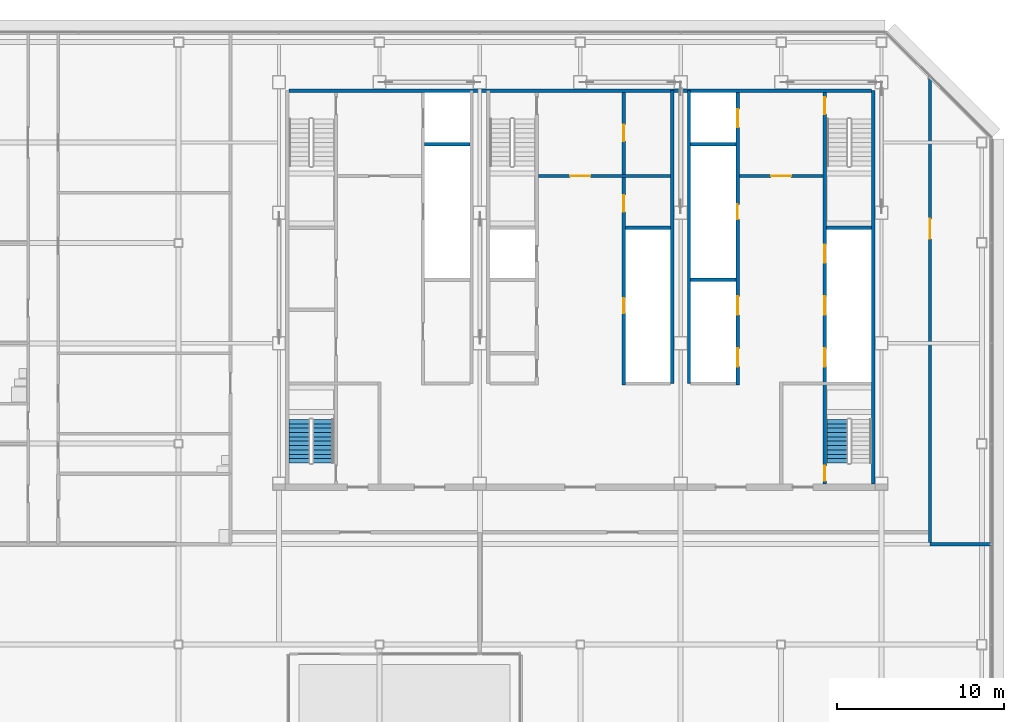
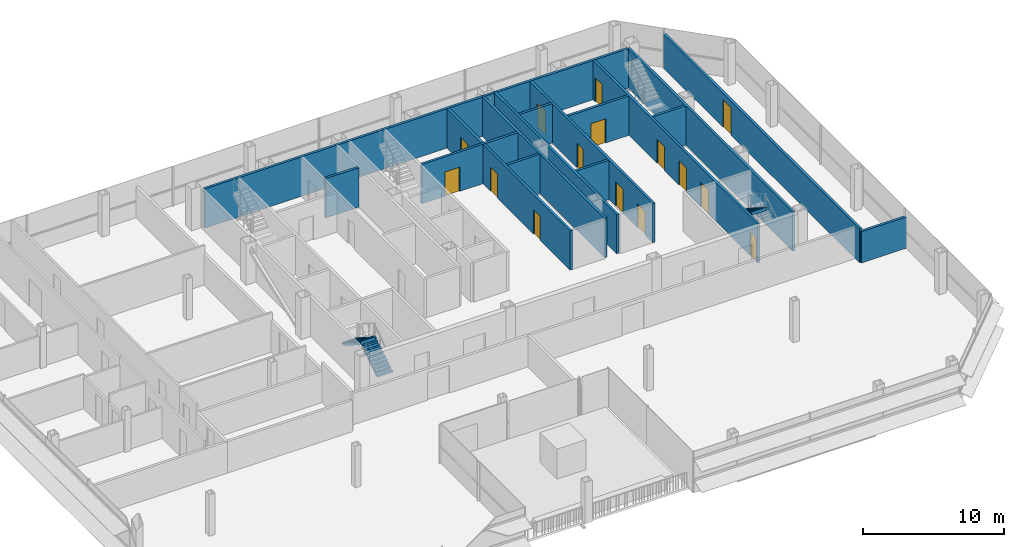
# One storey, part 22 of 27: 16 walls, 15 doors, 3 stair flights, 15 openings, 2 elements without a shape of their own.
"""IFC4 building model written with IfcOpenShell, lengths in metres."""

from ifc_helpers import new_model, si_unit, direction, frame, frame_2d, origin, place, context, subcontext, project, spatial, polyline, rectangle, outline, extrude, material, layer, layer_set, type_object, element, fill, aggregate, save


model = new_model("IFC4")

# Units and contexts
model_context = context("Model", 3, precision=1e-05, world=origin(), true_north=direction((0.0, 1.0)))
body_context = subcontext(model_context, "Body", "Model", "MODEL_VIEW")
ifc_project = project(units=[si_unit("LENGTHUNIT", "METRE"), si_unit("AREAUNIT", "SQUARE_METRE"), si_unit("VOLUMEUNIT", "CUBIC_METRE"), si_unit("PLANEANGLEUNIT", "RADIAN"), si_unit("MASSUNIT", "GRAM", prefix="KILO")], contexts=[model_context])

# Site, building, storey
site_placement = place(None, origin())
site = spatial("IfcSite", under=ifc_project, at=site_placement, CompositionType="ELEMENT")
building_placement = place(site_placement, origin())
building = spatial("IfcBuilding", under=site, at=building_placement, Name="Sorahane Residences", CompositionType="ELEMENT")
storey_placement = place(building_placement, frame((0.0, 0.0, 298.0)))
storey = spatial("IfcBuildingStorey", under=building, at=storey_placement, Name="L70", CompositionType="ELEMENT", Elevation=298.0)

# Walls
ifc_material_1 = material(Name="Concrete C30", Category="concrete")
ifc_layer_1 = layer(ifc_material_1, 0.199951171875)
ifc_layer_set_1 = layer_set([ifc_layer_1], Name="Core face wall 200 EI 180")
wall_type_1 = type_object("IfcWallType", Name="Core face wall 200 EI 180", PredefinedType="SOLIDWALL", material=ifc_layer_set_1)
wall_1_placement = place(storey_placement, frame((41.5, 21.60009765625, 0.0), z_axis=(0.0, 0.0, 1.0), x_axis=(0.0, 1.0, 0.0)))
element("IfcWall", 1, at=wall_1_placement, inside=storey, type_object=wall_type_1, Name="L70 core face wall", PredefinedType="SOLIDWALL", context=body_context, shape_type="SweptSolid", body=[
    extrude(rectangle(XDim=23.5, YDim=0.199951171875, at=frame_2d((11.75, 0.0))), origin(), (0.0, 0.0, 1.0), 3.419921875),
])
wall_2_placement = place(storey_placement, frame((6.60009765625, 45.10009765625, 0.0), z_axis=(0.0, 0.0, 1.0), x_axis=(1.0, 0.0, 0.0)))
element("IfcWall", 2, at=wall_2_placement, inside=storey, type_object=wall_type_1, Name="L70 core face wall", PredefinedType="SOLIDWALL", context=body_context, shape_type="SweptSolid", body=[
    extrude(rectangle(XDim=34.7998046875, YDim=0.199951171875, at=frame_2d((17.39990234375, 0.0))), origin(), (0.0, 0.0, 1.0), 3.419921875),
])
for number, where, z_axis, x_axis, name in (
    (3, (29.5, 27.60009765625, 0.0), (0.0, 0.0, 1.0), (0.0, 1.0, 0.0), "L70 core face wall"),
    (4, (30.5, 27.60009765625, 0.0), (0.0, 0.0, 1.0), (0.0, 1.0, 0.0), "L70 core face wall"),
):
    element("IfcWall", number, at=place(storey_placement, frame(where, z_axis=z_axis, x_axis=x_axis)), inside=storey, type_object=wall_type_1, Name=name, PredefinedType="SOLIDWALL", context=body_context, shape_type="SweptSolid", body=[
        extrude(rectangle(XDim=17.5, YDim=0.199951171875, at=frame_2d((8.75, 0.0))), origin(), (0.0, 0.0, 1.0), 3.419921875),
    ])

# Wall, opening, door
ifc_material_2 = material(Name="Concrete blockwork C20 wall", Category="masonry")
ifc_layer_2 = layer(ifc_material_2, 0.199951171875)
ifc_layer_set_2 = layer_set([ifc_layer_2], Name="Corridor wall 200 EI 120")
wall_type_2 = type_object("IfcWallType", Name="Corridor wall 200 EI 120", PredefinedType="SOLIDWALL", material=ifc_layer_set_2)
wall_3_placement = place(storey_placement, frame((44.89990234375, 18.001953125, 0.0), z_axis=(0.0, 0.0, 1.0), x_axis=(0.0, 1.0, 0.0)))
wall_3 = element("IfcWall", 5, at=wall_3_placement, inside=storey, type_object=wall_type_2, Name="L70 corridor wall", PredefinedType="SOLIDWALL", context=body_context, shape_type="SweptSolid", body=[
    extrude(rectangle(XDim=27.947021484375, YDim=0.199951171875, at=frame_2d((13.9736328125, 0.0))), origin(), (0.0, 0.0, 1.0), 2.969970703125),
])
opening_1_placement = place(wall_3_placement, frame((18.239990234375, 0.0, 0.0)))
opening_1 = element("IfcOpeningElement", 6, at=opening_1_placement, cuts=wall_3, Name="Opening L70-16", PredefinedType="OPENING", context=body_context, shape_type="SweptSolid", body=[
    extrude(rectangle(XDim=1.199951171875, YDim=2.39990234375, at=frame_2d((0.60009765625, 1.199951171875))), frame((0.0, 0.10986328125, 0.0), z_axis=(0.0, -1.0, 0.0), x_axis=(1.0, 0.0, 0.0)), (0.0, 0.0, 1.0), 0.219970703125),
])
ifc_material_3 = material(Name="Steel", Category="steel")
door_type_1 = type_object("IfcDoorType", Name="Lobby door 1200x2400 FD60", OperationType="NOTDEFINED", PredefinedType="DOOR", material=ifc_material_3)
door_1_placement = place(opening_1_placement, frame((1.199951171875, 0.0, 0.0), z_axis=(0.0, 0.0, 1.0), x_axis=(-1.0, 0.0, 0.0)))
door_1 = element("IfcDoor", 7, at=door_1_placement, inside=storey, type_object=door_type_1, Name="Lobby door L70-16", OperationType="SINGLE_SWING_LEFT", OverallHeight=2.39990234375, OverallWidth=1.199951171875, PredefinedType="DOOR", context=body_context, shape_type="SweptSolid", body=[
    extrude(rectangle(XDim=1.199951171875, YDim=2.39990234375, at=frame_2d((0.60009765625, 1.199951171875))), frame((0.0, 0.02490234375, 0.0), z_axis=(0.0, -1.0, 0.0), x_axis=(1.0, 0.0, 0.0)), (0.0, 0.0, 1.0), 0.050048828125),
])
fill(opening_1, door_1)

# Wall
wall_4_placement = place(storey_placement, frame((44.902099609375, 18.0, 0.0), z_axis=(0.0, 0.0, 1.0), x_axis=(1.0, 0.0, 0.0)))
element("IfcWall", 8, at=wall_4_placement, inside=storey, type_object=wall_type_2, Name="L70 corridor wall", PredefinedType="SOLIDWALL", context=body_context, shape_type="SweptSolid", body=[
    extrude(rectangle(XDim=3.697998046875, YDim=0.199951171875, at=frame_2d((1.84912109375, 0.0))), origin(), (0.0, 0.0, 1.0), 2.719970703125),
])

# Wall, opening, door
ifc_material_4 = material(Name="Concrete C30", Category="concrete")
ifc_layer_3 = layer(ifc_material_4, 0.199951171875)
ifc_layer_set_3 = layer_set([ifc_layer_3], Name="Front room wall 200 EI 120")
wall_type_3 = type_object("IfcWallType", Name="Front room wall 200 EI 120", PredefinedType="PARTITIONING", material=ifc_layer_set_3)
wall_5_placement = place(storey_placement, frame((21.5, 40.0, 0.0), z_axis=(0.0, 0.0, 1.0), x_axis=(1.0, 0.0, 0.0)))
wall_5 = element("IfcWall", 9, at=wall_5_placement, inside=storey, type_object=wall_type_3, Name="L70 front room wall", PredefinedType="PARTITIONING", context=body_context, shape_type="SweptSolid", body=[
    extrude(rectangle(XDim=7.89990234375, YDim=0.199951171875, at=frame_2d((3.949951171875, 0.0))), origin(), (0.0, 0.0, 1.0), 3.419921875),
])
opening_2_placement = place(wall_5_placement, frame((1.89990234375, 0.0, 0.0)))
opening_2 = element("IfcOpeningElement", 10, at=opening_2_placement, cuts=wall_5, Name="Opening L70-C07", PredefinedType="OPENING", context=body_context, shape_type="SweptSolid", body=[
    extrude(rectangle(XDim=1.199951171875, YDim=2.10009765625, at=frame_2d((0.60009765625, 1.050048828125))), frame((0.0, 0.10986328125, 0.0), z_axis=(0.0, -1.0, 0.0), x_axis=(1.0, 0.0, 0.0)), (0.0, 0.0, 1.0), 0.219970703125),
])
ifc_material_5 = material(Name="Steel", Category="steel")
door_type_2 = type_object("IfcDoorType", Name="Front room door 1200x2100 FD120", OperationType="NOTDEFINED", PredefinedType="DOOR", material=ifc_material_5)
door_2_placement = place(opening_2_placement, frame((1.199951171875, 0.0, 0.0), z_axis=(0.0, 0.0, 1.0), x_axis=(-1.0, 0.0, 0.0)))
door_2 = element("IfcDoor", 11, at=door_2_placement, inside=storey, type_object=door_type_2, Name="Front room door Stair S3 vestibule L70", OperationType="DOUBLE_DOOR_SINGLE_SWING", OverallHeight=2.10009765625, OverallWidth=1.199951171875, PredefinedType="DOOR", context=body_context, shape_type="SweptSolid", body=[
    extrude(rectangle(XDim=1.199951171875, YDim=2.10009765625, at=frame_2d((0.60009765625, 1.050048828125))), frame((0.0, 0.02490234375, 0.0), z_axis=(0.0, -1.0, 0.0), x_axis=(1.0, 0.0, 0.0)), (0.0, 0.0, 1.0), 0.050048828125),
])
fill(opening_2, door_2)

wall_6_placement = place(storey_placement, frame((33.5, 40.0, 0.0), z_axis=(0.0, 0.0, 1.0), x_axis=(1.0, 0.0, 0.0)))
wall_6 = element("IfcWall", 12, at=wall_6_placement, inside=storey, type_object=wall_type_3, Name="L70 front room wall", PredefinedType="PARTITIONING", context=body_context, shape_type="SweptSolid", body=[
    extrude(rectangle(XDim=5.0, YDim=0.199951171875, at=frame_2d((2.5, 0.0))), origin(), (0.0, 0.0, 1.0), 3.419921875),
])
opening_3_placement = place(wall_6_placement, frame((1.89990234375, 0.0, 0.0)))
opening_3 = element("IfcOpeningElement", 13, at=opening_3_placement, cuts=wall_6, Name="Opening L70-C08", PredefinedType="OPENING", context=body_context, shape_type="SweptSolid", body=[
    extrude(rectangle(XDim=1.199951171875, YDim=2.10009765625, at=frame_2d((0.60009765625, 1.050048828125))), frame((0.0, 0.10986328125, 0.0), z_axis=(0.0, -1.0, 0.0), x_axis=(1.0, 0.0, 0.0)), (0.0, 0.0, 1.0), 0.219970703125),
])
door_3_placement = place(opening_3_placement, frame((1.199951171875, 0.0, 0.0), z_axis=(0.0, 0.0, 1.0), x_axis=(-1.0, 0.0, 0.0)))
door_3 = element("IfcDoor", 14, at=door_3_placement, inside=storey, type_object=door_type_2, Name="Front room door Firefighting lobby FF2 front room L70", OperationType="DOUBLE_DOOR_SINGLE_SWING", OverallHeight=2.10009765625, OverallWidth=1.199951171875, PredefinedType="DOOR", context=body_context, shape_type="SweptSolid", body=[
    extrude(rectangle(XDim=1.199951171875, YDim=2.10009765625, at=frame_2d((0.60009765625, 1.050048828125))), frame((0.0, 0.02490234375, 0.0), z_axis=(0.0, -1.0, 0.0), x_axis=(1.0, 0.0, 0.0)), (0.0, 0.0, 1.0), 0.050048828125),
])
fill(opening_3, door_3)

# Wall, openings, doors
ifc_material_6 = material(Name="Concrete C30", Category="concrete")
ifc_layer_4 = layer(ifc_material_6, 0.199951171875)
ifc_layer_set_4 = layer_set([ifc_layer_4], Name="Lift shaft wall 200 EI 120")
wall_type_4 = type_object("IfcWallType", Name="Lift shaft wall 200 EI 120", PredefinedType="SOLIDWALL", material=ifc_layer_set_4)
wall_7_placement = place(storey_placement, frame((33.39990234375, 27.5, 0.0), z_axis=(0.0, 0.0, 1.0), x_axis=(0.0, 1.0, 0.0)))
wall_7 = element("IfcWall", 15, at=wall_7_placement, inside=storey, type_object=wall_type_4, Name="L70 lift shaft wall", PredefinedType="SOLIDWALL", context=body_context, shape_type="SweptSolid", body=[
    extrude(rectangle(XDim=17.5, YDim=0.199951171875, at=frame_2d((8.75, 0.0))), origin(), (0.0, 0.0, 1.0), 3.419921875),
])
opening_4_placement = place(wall_7_placement, frame((1.10009765625, 0.0, 0.0)))
opening_4 = element("IfcOpeningElement", 16, at=opening_4_placement, cuts=wall_7, Name="Opening L70-C12", PredefinedType="OPENING", context=body_context, shape_type="SweptSolid", body=[
    extrude(rectangle(XDim=1.10009765625, YDim=2.10009765625, at=frame_2d((0.550048828125, 1.050048828125))), frame((0.0, 0.10986328125, 0.0), z_axis=(0.0, -1.0, 0.0), x_axis=(1.0, 0.0, 0.0)), (0.0, 0.0, 1.0), 0.219970703125),
])
opening_5_placement = place(wall_7_placement, frame((4.199951171875, 0.0, 0.0)))
opening_5 = element("IfcOpeningElement", 17, at=opening_5_placement, cuts=wall_7, Name="Opening L70-C13", PredefinedType="OPENING", context=body_context, shape_type="SweptSolid", body=[
    extrude(rectangle(XDim=1.10009765625, YDim=2.10009765625, at=frame_2d((0.550048828125, 1.050048828125))), frame((0.0, 0.10986328125, 0.0), z_axis=(0.0, -1.0, 0.0), x_axis=(1.0, 0.0, 0.0)), (0.0, 0.0, 1.0), 0.219970703125),
])
opening_6_placement = place(wall_7_placement, frame((15.39990234375, 0.0, 0.0)))
opening_6 = element("IfcOpeningElement", 18, at=opening_6_placement, cuts=wall_7, Name="Opening L70-C14", PredefinedType="OPENING", context=body_context, shape_type="SweptSolid", body=[
    extrude(rectangle(XDim=1.10009765625, YDim=2.10009765625, at=frame_2d((0.550048828125, 1.050048828125))), frame((0.0, 0.10986328125, 0.0), z_axis=(0.0, -1.0, 0.0), x_axis=(1.0, 0.0, 0.0)), (0.0, 0.0, 1.0), 0.219970703125),
])
opening_7_placement = place(wall_7_placement, frame((9.89990234375, 0.0, 0.0)))
opening_7 = element("IfcOpeningElement", 19, at=opening_7_placement, cuts=wall_7, Name="Opening L70-C27", PredefinedType="OPENING", context=body_context, shape_type="SweptSolid", body=[
    extrude(rectangle(XDim=0.89990234375, YDim=2.10009765625, at=frame_2d((0.449951171875, 1.050048828125))), frame((0.0, 0.10986328125, 0.0), z_axis=(0.0, -1.0, 0.0), x_axis=(1.0, 0.0, 0.0)), (0.0, 0.0, 1.0), 0.219970703125),
])
ifc_material_7 = material(Name="Aluminium and stainless steel", Category="steel")
door_type_3 = type_object("IfcDoorType", Name="Lift landing door 1100x2100 E 60", OperationType="NOTDEFINED", PredefinedType="DOOR", material=ifc_material_7)
door_4_placement = place(opening_4_placement, origin())
door_4 = element("IfcDoor", 20, at=door_4_placement, inside=storey, type_object=door_type_3, Name="Lift landing door HR4 L70", OperationType="DOUBLE_DOOR_SLIDING", OverallHeight=2.10009765625, OverallWidth=1.10009765625, PredefinedType="DOOR", context=body_context, shape_type="SweptSolid", body=[
    extrude(rectangle(XDim=1.10009765625, YDim=2.10009765625, at=frame_2d((0.550048828125, 1.050048828125))), frame((0.0, 0.02490234375, 0.0), z_axis=(0.0, -1.0, 0.0), x_axis=(1.0, 0.0, 0.0)), (0.0, 0.0, 1.0), 0.050048828125),
])
fill(opening_4, door_4)
door_5_placement = place(opening_5_placement, origin())
door_5 = element("IfcDoor", 21, at=door_5_placement, inside=storey, type_object=door_type_3, Name="Lift landing door HR5 L70", OperationType="DOUBLE_DOOR_SLIDING", OverallHeight=2.10009765625, OverallWidth=1.10009765625, PredefinedType="DOOR", context=body_context, shape_type="SweptSolid", body=[
    extrude(rectangle(XDim=1.10009765625, YDim=2.10009765625, at=frame_2d((0.550048828125, 1.050048828125))), frame((0.0, 0.02490234375, 0.0), z_axis=(0.0, -1.0, 0.0), x_axis=(1.0, 0.0, 0.0)), (0.0, 0.0, 1.0), 0.050048828125),
])
fill(opening_5, door_5)
door_6_placement = place(opening_6_placement, origin())
door_6 = element("IfcDoor", 22, at=door_6_placement, inside=storey, type_object=door_type_3, Name="Lift landing door FF2 L70", OperationType="DOUBLE_DOOR_SLIDING", OverallHeight=2.10009765625, OverallWidth=1.10009765625, PredefinedType="DOOR", context=body_context, shape_type="SweptSolid", body=[
    extrude(rectangle(XDim=1.10009765625, YDim=2.10009765625, at=frame_2d((0.550048828125, 1.050048828125))), frame((0.0, 0.02490234375, 0.0), z_axis=(0.0, -1.0, 0.0), x_axis=(1.0, 0.0, 0.0)), (0.0, 0.0, 1.0), 0.050048828125),
])
fill(opening_6, door_6)
ifc_material_8 = material(Name="Steel", Category="steel")
door_type_4 = type_object("IfcDoorType", Name="Riser door 900x2100 FD120", OperationType="NOTDEFINED", PredefinedType="DOOR", material=ifc_material_8)
door_7_placement = place(opening_7_placement, frame((0.89990234375, 0.0, 0.0), z_axis=(0.0, 0.0, 1.0), x_axis=(-1.0, 0.0, 0.0)))
door_7 = element("IfcDoor", 23, at=door_7_placement, inside=storey, type_object=door_type_4, Name="Riser door R2 L70", OperationType="SINGLE_SWING_LEFT", OverallHeight=2.10009765625, OverallWidth=0.89990234375, PredefinedType="DOOR", context=body_context, shape_type="SweptSolid", body=[
    extrude(rectangle(XDim=0.89990234375, YDim=2.10009765625, at=frame_2d((0.449951171875, 1.050048828125))), frame((0.0, 0.02490234375, 0.0), z_axis=(0.0, -1.0, 0.0), x_axis=(1.0, 0.0, 0.0)), (0.0, 0.0, 1.0), 0.050048828125),
])
fill(opening_7, door_7)

# Walls
for number, where, z_axis, x_axis, name in (
    (24, (30.60009765625, 33.800048828125, 0.0), (0.0, 0.0, 1.0), (1.0, 0.0, 0.0), "L70 lift shaft wall"),
    (25, (14.699951171875, 41.89990234375, 0.0), (0.0, 0.0, 1.0), (1.0, 0.0, 0.0), "L70 lift shaft wall"),
    (26, (30.60009765625, 41.89990234375, 0.0), (0.0, 0.0, 1.0), (1.0, 0.0, 0.0), "L70 lift shaft wall"),
):
    element("IfcWall", number, at=place(storey_placement, frame(where, z_axis=z_axis, x_axis=x_axis)), inside=storey, type_object=wall_type_4, Name=name, PredefinedType="SOLIDWALL", context=body_context, shape_type="SweptSolid", body=[
        extrude(rectangle(XDim=2.699951171875, YDim=0.199951171875, at=frame_2d((1.35009765625, 0.0))), origin(), (0.0, 0.0, 1.0), 3.419921875),
    ])

# Wall, openings, doors
ifc_material_9 = material(Name="Concrete C30", Category="concrete")
ifc_layer_5 = layer(ifc_material_9, 0.199951171875)
ifc_layer_set_5 = layer_set([ifc_layer_5], Name="Riser shaft wall 200 EI 120")
wall_type_5 = type_object("IfcWallType", Name="Riser shaft wall 200 EI 120", PredefinedType="SOLIDWALL", material=ifc_layer_set_5)
wall_8_placement = place(storey_placement, frame((26.60009765625, 27.5, 0.0), z_axis=(0.0, 0.0, 1.0), x_axis=(0.0, 1.0, 0.0)))
wall_8 = element("IfcWall", 27, at=wall_8_placement, inside=storey, type_object=wall_type_5, Name="L70 riser wall", PredefinedType="SOLIDWALL", context=body_context, shape_type="SweptSolid", body=[
    extrude(rectangle(XDim=17.5, YDim=0.199951171875, at=frame_2d((8.75, 0.0))), origin(), (0.0, 0.0, 1.0), 3.419921875),
])
opening_8_placement = place(wall_8_placement, frame((4.300048828125, 0.0, 0.0)))
opening_8 = element("IfcOpeningElement", 28, at=opening_8_placement, cuts=wall_8, Name="Opening L70-C29", PredefinedType="OPENING", context=body_context, shape_type="SweptSolid", body=[
    extrude(rectangle(XDim=0.89990234375, YDim=2.10009765625, at=frame_2d((0.449951171875, 1.050048828125))), frame((0.0, 0.10986328125, 0.0), z_axis=(0.0, -1.0, 0.0), x_axis=(1.0, 0.0, 0.0)), (0.0, 0.0, 1.0), 0.219970703125),
])
opening_9_placement = place(wall_8_placement, frame((10.35009765625, 0.0, 0.0)))
opening_9 = element("IfcOpeningElement", 29, at=opening_9_placement, cuts=wall_8, Name="Opening L70-C30", PredefinedType="OPENING", context=body_context, shape_type="SweptSolid", body=[
    extrude(rectangle(XDim=1.0, YDim=2.10009765625, at=frame_2d((0.5, 1.050048828125))), frame((0.0, 0.10986328125, 0.0), z_axis=(0.0, -1.0, 0.0), x_axis=(1.0, 0.0, 0.0)), (0.0, 0.0, 1.0), 0.219970703125),
])
opening_10_placement = place(wall_8_placement, frame((14.574951171875, 0.0, 0.0)))
opening_10 = element("IfcOpeningElement", 30, at=opening_10_placement, cuts=wall_8, Name="Opening L70-C31", PredefinedType="OPENING", context=body_context, shape_type="SweptSolid", body=[
    extrude(rectangle(XDim=1.0, YDim=2.10009765625, at=frame_2d((0.5, 1.050048828125))), frame((0.0, 0.10986328125, 0.0), z_axis=(0.0, -1.0, 0.0), x_axis=(1.0, 0.0, 0.0)), (0.0, 0.0, 1.0), 0.219970703125),
])
door_8_placement = place(opening_8_placement, origin())
door_8 = element("IfcDoor", 31, at=door_8_placement, inside=storey, type_object=door_type_4, Name="Riser door R4 L70", OperationType="SINGLE_SWING_LEFT", OverallHeight=2.10009765625, OverallWidth=0.89990234375, PredefinedType="DOOR", context=body_context, shape_type="SweptSolid", body=[
    extrude(rectangle(XDim=0.89990234375, YDim=2.10009765625, at=frame_2d((0.449951171875, 1.050048828125))), frame((0.0, 0.02490234375, 0.0), z_axis=(0.0, -1.0, 0.0), x_axis=(1.0, 0.0, 0.0)), (0.0, 0.0, 1.0), 0.050048828125),
])
fill(opening_8, door_8)
ifc_material_10 = material(Name="Steel", Category="steel")
door_type_5 = type_object("IfcDoorType", Name="Service room door 1000x2100 FD60", OperationType="NOTDEFINED", PredefinedType="DOOR", material=ifc_material_10)
door_9_placement = place(opening_9_placement, frame((1.0, 0.0, 0.0), z_axis=(0.0, 0.0, 1.0), x_axis=(-1.0, 0.0, 0.0)))
door_9 = element("IfcDoor", 32, at=door_9_placement, inside=storey, type_object=door_type_5, Name="Service room door Linen room L70", OperationType="SINGLE_SWING_LEFT", OverallHeight=2.10009765625, OverallWidth=1.0, PredefinedType="DOOR", context=body_context, shape_type="SweptSolid", body=[
    extrude(rectangle(XDim=1.0, YDim=2.10009765625, at=frame_2d((0.5, 1.050048828125))), frame((0.0, 0.02490234375, 0.0), z_axis=(0.0, -1.0, 0.0), x_axis=(1.0, 0.0, 0.0)), (0.0, 0.0, 1.0), 0.050048828125),
])
fill(opening_9, door_9)
door_10_placement = place(opening_10_placement, frame((1.0, 0.0, 0.0), z_axis=(0.0, 0.0, 1.0), x_axis=(-1.0, 0.0, 0.0)))
door_10 = element("IfcDoor", 33, at=door_10_placement, inside=storey, type_object=door_type_5, Name="Service room door Cleaners' store L70", OperationType="SINGLE_SWING_LEFT", OverallHeight=2.10009765625, OverallWidth=1.0, PredefinedType="DOOR", context=body_context, shape_type="SweptSolid", body=[
    extrude(rectangle(XDim=1.0, YDim=2.10009765625, at=frame_2d((0.5, 1.050048828125))), frame((0.0, 0.02490234375, 0.0), z_axis=(0.0, -1.0, 0.0), x_axis=(1.0, 0.0, 0.0)), (0.0, 0.0, 1.0), 0.050048828125),
])
fill(opening_10, door_10)

# Wall
wall_9_placement = place(storey_placement, frame((26.699951171875, 36.89990234375, 0.0), z_axis=(0.0, 0.0, 1.0), x_axis=(1.0, 0.0, 0.0)))
element("IfcWall", 34, at=wall_9_placement, inside=storey, type_object=wall_type_5, Name="L70 riser wall", PredefinedType="SOLIDWALL", context=body_context, shape_type="SweptSolid", body=[
    extrude(rectangle(XDim=2.699951171875, YDim=0.199951171875, at=frame_2d((1.35009765625, 0.0))), origin(), (0.0, 0.0, 1.0), 3.419921875),
])

# Wall, openings, doors
ifc_material_11 = material(Name="Concrete C30", Category="concrete")
ifc_layer_6 = layer(ifc_material_11, 0.199951171875)
ifc_layer_set_6 = layer_set([ifc_layer_6], Name="Stair enclosure wall 200 EI 120")
wall_type_6 = type_object("IfcWallType", Name="Stair enclosure wall 200 EI 120", PredefinedType="SOLIDWALL", material=ifc_layer_set_6)
wall_10_placement = place(storey_placement, frame((38.60009765625, 21.60009765625, 0.0), z_axis=(0.0, 0.0, 1.0), x_axis=(0.0, 1.0, 0.0)))
wall_10 = element("IfcWall", 35, at=wall_10_placement, inside=storey, type_object=wall_type_6, Name="L70 stair enclosure wall", PredefinedType="SOLIDWALL", context=body_context, shape_type="SweptSolid", body=[
    extrude(rectangle(XDim=23.39990234375, YDim=0.199951171875, at=frame_2d((11.699951171875, 0.0))), origin(), (0.0, 0.0, 1.0), 3.419921875),
])
opening_11_placement = place(wall_10_placement, frame((7.0, 0.0, 0.0)))
opening_11 = element("IfcOpeningElement", 36, at=opening_11_placement, cuts=wall_10, Name="Opening L70-C09", PredefinedType="OPENING", context=body_context, shape_type="SweptSolid", body=[
    extrude(rectangle(XDim=1.10009765625, YDim=2.10009765625, at=frame_2d((0.550048828125, 1.050048828125))), frame((0.0, 0.10986328125, 0.0), z_axis=(0.0, -1.0, 0.0), x_axis=(1.0, 0.0, 0.0)), (0.0, 0.0, 1.0), 0.219970703125),
])
opening_12_placement = place(wall_10_placement, frame((10.10009765625, 0.0, 0.0)))
opening_12 = element("IfcOpeningElement", 37, at=opening_12_placement, cuts=wall_10, Name="Opening L70-C10", PredefinedType="OPENING", context=body_context, shape_type="SweptSolid", body=[
    extrude(rectangle(XDim=1.10009765625, YDim=2.10009765625, at=frame_2d((0.550048828125, 1.050048828125))), frame((0.0, 0.10986328125, 0.0), z_axis=(0.0, -1.0, 0.0), x_axis=(1.0, 0.0, 0.0)), (0.0, 0.0, 1.0), 0.219970703125),
])
opening_13_placement = place(wall_10_placement, frame((13.199951171875, 0.0, 0.0)))
opening_13 = element("IfcOpeningElement", 38, at=opening_13_placement, cuts=wall_10, Name="Opening L70-C11", PredefinedType="OPENING", context=body_context, shape_type="SweptSolid", body=[
    extrude(rectangle(XDim=1.10009765625, YDim=2.10009765625, at=frame_2d((0.550048828125, 1.050048828125))), frame((0.0, 0.10986328125, 0.0), z_axis=(0.0, -1.0, 0.0), x_axis=(1.0, 0.0, 0.0)), (0.0, 0.0, 1.0), 0.219970703125),
])
opening_14_placement = place(wall_10_placement, frame((22.10009765625, 0.0, 0.0)))
opening_14 = element("IfcOpeningElement", 39, at=opening_14_placement, cuts=wall_10, Name="Opening L70-C22", PredefinedType="OPENING", context=body_context, shape_type="SweptSolid", body=[
    extrude(rectangle(XDim=1.0, YDim=2.10009765625, at=frame_2d((0.5, 1.050048828125))), frame((0.0, 0.10986328125, 0.0), z_axis=(0.0, -1.0, 0.0), x_axis=(1.0, 0.0, 0.0)), (0.0, 0.0, 1.0), 0.219970703125),
])
opening_15_placement = place(wall_10_placement, frame((0.175048828125, 0.0, 0.0)))
opening_15 = element("IfcOpeningElement", 40, at=opening_15_placement, cuts=wall_10, Name="Opening L70-C25", PredefinedType="OPENING", context=body_context, shape_type="SweptSolid", body=[
    extrude(rectangle(XDim=0.89990234375, YDim=2.10009765625, at=frame_2d((0.449951171875, 1.050048828125))), frame((0.0, 0.10986328125, 0.0), z_axis=(0.0, -1.0, 0.0), x_axis=(1.0, 0.0, 0.0)), (0.0, 0.0, 1.0), 0.219970703125),
])
door_11_placement = place(opening_11_placement, origin())
door_11 = element("IfcDoor", 41, at=door_11_placement, inside=storey, type_object=door_type_3, Name="Lift landing door HR1 L70", OperationType="DOUBLE_DOOR_SLIDING", OverallHeight=2.10009765625, OverallWidth=1.10009765625, PredefinedType="DOOR", context=body_context, shape_type="SweptSolid", body=[
    extrude(rectangle(XDim=1.10009765625, YDim=2.10009765625, at=frame_2d((0.550048828125, 1.050048828125))), frame((0.0, 0.02490234375, 0.0), z_axis=(0.0, -1.0, 0.0), x_axis=(1.0, 0.0, 0.0)), (0.0, 0.0, 1.0), 0.050048828125),
])
fill(opening_11, door_11)
door_12_placement = place(opening_12_placement, origin())
door_12 = element("IfcDoor", 42, at=door_12_placement, inside=storey, type_object=door_type_3, Name="Lift landing door HR2 L70", OperationType="DOUBLE_DOOR_SLIDING", OverallHeight=2.10009765625, OverallWidth=1.10009765625, PredefinedType="DOOR", context=body_context, shape_type="SweptSolid", body=[
    extrude(rectangle(XDim=1.10009765625, YDim=2.10009765625, at=frame_2d((0.550048828125, 1.050048828125))), frame((0.0, 0.02490234375, 0.0), z_axis=(0.0, -1.0, 0.0), x_axis=(1.0, 0.0, 0.0)), (0.0, 0.0, 1.0), 0.050048828125),
])
fill(opening_12, door_12)
door_13_placement = place(opening_13_placement, origin())
door_13 = element("IfcDoor", 43, at=door_13_placement, inside=storey, type_object=door_type_3, Name="Lift landing door HR3 L70", OperationType="DOUBLE_DOOR_SLIDING", OverallHeight=2.10009765625, OverallWidth=1.10009765625, PredefinedType="DOOR", context=body_context, shape_type="SweptSolid", body=[
    extrude(rectangle(XDim=1.10009765625, YDim=2.10009765625, at=frame_2d((0.550048828125, 1.050048828125))), frame((0.0, 0.02490234375, 0.0), z_axis=(0.0, -1.0, 0.0), x_axis=(1.0, 0.0, 0.0)), (0.0, 0.0, 1.0), 0.050048828125),
])
fill(opening_13, door_13)
ifc_material_12 = material(Name="Steel", Category="steel")
door_type_6 = type_object("IfcDoorType", Name="Stair door 1000x2100 FD120", OperationType="NOTDEFINED", PredefinedType="DOOR", material=ifc_material_12)
door_14_placement = place(opening_14_placement, frame((1.0, 0.0, 0.0), z_axis=(0.0, 0.0, 1.0), x_axis=(-1.0, 0.0, 0.0)))
door_14 = element("IfcDoor", 44, at=door_14_placement, inside=storey, type_object=door_type_6, Name="Stair door S2 L70", OperationType="SINGLE_SWING_LEFT", OverallHeight=2.10009765625, OverallWidth=1.0, PredefinedType="DOOR", context=body_context, shape_type="SweptSolid", body=[
    extrude(rectangle(XDim=1.0, YDim=2.10009765625, at=frame_2d((0.5, 1.050048828125))), frame((0.0, 0.02490234375, 0.0), z_axis=(0.0, -1.0, 0.0), x_axis=(1.0, 0.0, 0.0)), (0.0, 0.0, 1.0), 0.050048828125),
])
fill(opening_14, door_14)
ifc_material_13 = material(Name="Steel", Category="steel")
door_type_7 = type_object("IfcDoorType", Name="Stair door 900x2100 FD120", OperationType="NOTDEFINED", PredefinedType="DOOR", material=ifc_material_13)
door_15_placement = place(opening_15_placement, frame((0.89990234375, 0.0, 0.0), z_axis=(0.0, 0.0, 1.0), x_axis=(-1.0, 0.0, 0.0)))
door_15 = element("IfcDoor", 45, at=door_15_placement, inside=storey, type_object=door_type_7, Name="Stair door S5 L70", OperationType="SINGLE_SWING_LEFT", OverallHeight=2.10009765625, OverallWidth=0.89990234375, PredefinedType="DOOR", context=body_context, shape_type="SweptSolid", body=[
    extrude(rectangle(XDim=0.89990234375, YDim=2.10009765625, at=frame_2d((0.449951171875, 1.050048828125))), frame((0.0, 0.02490234375, 0.0), z_axis=(0.0, -1.0, 0.0), x_axis=(1.0, 0.0, 0.0)), (0.0, 0.0, 1.0), 0.050048828125),
])
fill(opening_15, door_15)

# Wall
wall_11_placement = place(storey_placement, frame((38.699951171875, 36.89990234375, 0.0), z_axis=(0.0, 0.0, 1.0), x_axis=(1.0, 0.0, 0.0)))
element("IfcWall", 46, at=wall_11_placement, inside=storey, type_object=wall_type_6, Name="L70 stair enclosure wall", PredefinedType="SOLIDWALL", context=body_context, shape_type="SweptSolid", body=[
    extrude(rectangle(XDim=2.699951171875, YDim=0.199951171875, at=frame_2d((1.35009765625, 0.0))), origin(), (0.0, 0.0, 1.0), 3.419921875),
])

# Stair, stair flights
ifc_material_14 = material(Name="Concrete C40", Category="concrete")
stair_type = type_object("IfcStairType", Name="Dog-leg stair 1250 Concrete C40", PredefinedType="HALF_TURN_STAIR", material=ifc_material_14)
stair_1_placement = place(storey_placement, origin())
stair_1 = element("IfcStair", 47, at=stair_1_placement, inside=storey, type_object=stair_type, Name="L70 Stair S4", PredefinedType="HALF_TURN_STAIR")
ifc_material_15 = material(Name="Concrete C40", Category="concrete")
stair_flight_type = type_object("IfcStairFlightType", Name="Stair flight 1250 Concrete C40", PredefinedType="STRAIGHT", material=ifc_material_15)
stair_flight_1_placement = place(storey_placement, frame((8.625, 22.85009765625, 0.0), z_axis=(0.0, 0.0, 1.0), x_axis=(0.0, 1.0, 0.0)))
stair_flight_1 = element("IfcStairFlight", 48, at=stair_flight_1_placement, type_object=stair_flight_type, Name="S4 flight 1", NumberOfRisers=11, NumberOfTreads=10, PredefinedType="STRAIGHT", RiserHeight=0.163636364, TreadLength=0.26, context=body_context, shape_type="SweptSolid", body=[
    extrude(outline(polyline([(-0.00146484375, 0.0), (-0.00146484375, 0.16357421875), (0.0, 0.16357421875), (0.260009765625, 0.16357421875), (0.260009765625, 0.327392578125), (0.52001953125, 0.327392578125), (0.52001953125, 0.490966796875), (0.780029296875, 0.490966796875), (0.780029296875, 0.654541015625), (1.0400390625, 0.654541015625), (1.0400390625, 0.818115234375), (1.300048828125, 0.818115234375), (1.300048828125, 0.98193359375), (1.56005859375, 0.98193359375), (1.56005859375, 1.1455078125), (1.820068359375, 1.1455078125), (1.820068359375, 1.30908203125), (2.080078125, 1.30908203125), (2.080078125, 1.47265625), (2.340087890625, 1.47265625), (2.340087890625, 1.636474609375), (2.60009765625, 1.636474609375), (2.60009765625, 1.800048828125), (2.60009765625, 1.494384765625), (2.402099609375, 1.369873046875), (2.204345703125, 1.245361328125), (2.00634765625, 1.120849609375), (1.80859375, 0.996337890625), (1.610595703125, 0.871826171875), (1.412841796875, 0.747314453125), (1.21484375, 0.622802734375), (1.01708984375, 0.498046875), (0.819091796875, 0.37353515625), (0.621337890625, 0.2490234375), (0.42333984375, 0.12451171875), (0.2255859375, 0.0), (-0.00146484375, 0.0)])), frame((0.0, 0.625, 0.0), z_axis=(0.0, -1.0, 0.0), x_axis=(1.0, 0.0, 0.0)), (0.0, 0.0, 1.0), 1.25),
])
stair_flight_2_placement = place(storey_placement, frame((7.22509765625, 25.449951171875, 1.800048828125), z_axis=(0.0, 0.0, 1.0), x_axis=(0.0, -1.0, 0.0)))
stair_flight_2 = element("IfcStairFlight", 49, at=stair_flight_2_placement, type_object=stair_flight_type, Name="S4 flight 2", NumberOfRisers=11, NumberOfTreads=10, PredefinedType="STRAIGHT", RiserHeight=0.163636364, TreadLength=0.26, context=body_context, shape_type="SweptSolid", body=[
    extrude(outline(polyline([(0.0, 0.0), (0.0, 0.16357421875), (0.260009765625, 0.16357421875), (0.260009765625, 0.327392578125), (0.52001953125, 0.327392578125), (0.52001953125, 0.490966796875), (0.780029296875, 0.490966796875), (0.780029296875, 0.654541015625), (1.0400390625, 0.654541015625), (1.0400390625, 0.818115234375), (1.300048828125, 0.818115234375), (1.300048828125, 0.98193359375), (1.56005859375, 0.98193359375), (1.56005859375, 1.1455078125), (1.820068359375, 1.1455078125), (1.820068359375, 1.30908203125), (2.080078125, 1.30908203125), (2.080078125, 1.47265625), (2.340087890625, 1.47265625), (2.340087890625, 1.636474609375), (2.60009765625, 1.636474609375), (2.60009765625, 1.800048828125), (2.6015625, 1.800048828125), (2.6015625, 1.494384765625), (2.403564453125, 1.369873046875), (2.20556640625, 1.245361328125), (2.007568359375, 1.120849609375), (1.8095703125, 0.996337890625), (1.611572265625, 0.871826171875), (1.41357421875, 0.747314453125), (1.215576171875, 0.622802734375), (1.017578125, 0.498046875), (0.819580078125, 0.37353515625), (0.62158203125, 0.2490234375), (0.423583984375, 0.12451171875), (0.2255859375, 0.0), (0.0, 0.0)])), frame((0.0, 0.625, 0.0), z_axis=(0.0, -1.0, 0.0), x_axis=(1.0, 0.0, 0.0)), (0.0, 0.0, 1.0), 1.25),
])
aggregate(stair_1, [stair_flight_1, stair_flight_2])

# Stair, stair flight
stair_2_placement = place(storey_placement, origin())
stair_2 = element("IfcStair", 50, at=stair_2_placement, inside=storey, type_object=stair_type, Name="L70 Stair S5", PredefinedType="HALF_TURN_STAIR")
stair_flight_3_placement = place(storey_placement, frame((39.375, 25.449951171875, 1.800048828125), z_axis=(0.0, 0.0, 1.0), x_axis=(0.0, -1.0, 0.0)))
stair_flight_3 = element("IfcStairFlight", 51, at=stair_flight_3_placement, type_object=stair_flight_type, Name="S5 flight 2", NumberOfRisers=11, NumberOfTreads=10, PredefinedType="STRAIGHT", RiserHeight=0.163636364, TreadLength=0.26, context=body_context, shape_type="SweptSolid", body=[
    extrude(outline(polyline([(0.0, 0.0), (0.0, 0.16357421875), (0.260009765625, 0.16357421875), (0.260009765625, 0.327392578125), (0.52001953125, 0.327392578125), (0.52001953125, 0.490966796875), (0.780029296875, 0.490966796875), (0.780029296875, 0.654541015625), (1.0400390625, 0.654541015625), (1.0400390625, 0.818115234375), (1.300048828125, 0.818115234375), (1.300048828125, 0.98193359375), (1.56005859375, 0.98193359375), (1.56005859375, 1.1455078125), (1.820068359375, 1.1455078125), (1.820068359375, 1.30908203125), (2.080078125, 1.30908203125), (2.080078125, 1.47265625), (2.340087890625, 1.47265625), (2.340087890625, 1.636474609375), (2.60009765625, 1.636474609375), (2.60009765625, 1.800048828125), (2.6015625, 1.800048828125), (2.6015625, 1.494384765625), (2.403564453125, 1.369873046875), (2.20556640625, 1.245361328125), (2.007568359375, 1.120849609375), (1.8095703125, 0.996337890625), (1.611572265625, 0.871826171875), (1.41357421875, 0.747314453125), (1.215576171875, 0.622802734375), (1.017578125, 0.498046875), (0.819580078125, 0.37353515625), (0.62158203125, 0.2490234375), (0.423583984375, 0.12451171875), (0.2255859375, 0.0), (0.0, 0.0)])), frame((0.0, 0.625, 0.0), z_axis=(0.0, -1.0, 0.0), x_axis=(1.0, 0.0, 0.0)), (0.0, 0.0, 1.0), 1.25),
])
aggregate(stair_2, [stair_flight_3])

save(model, "model.ifc")
